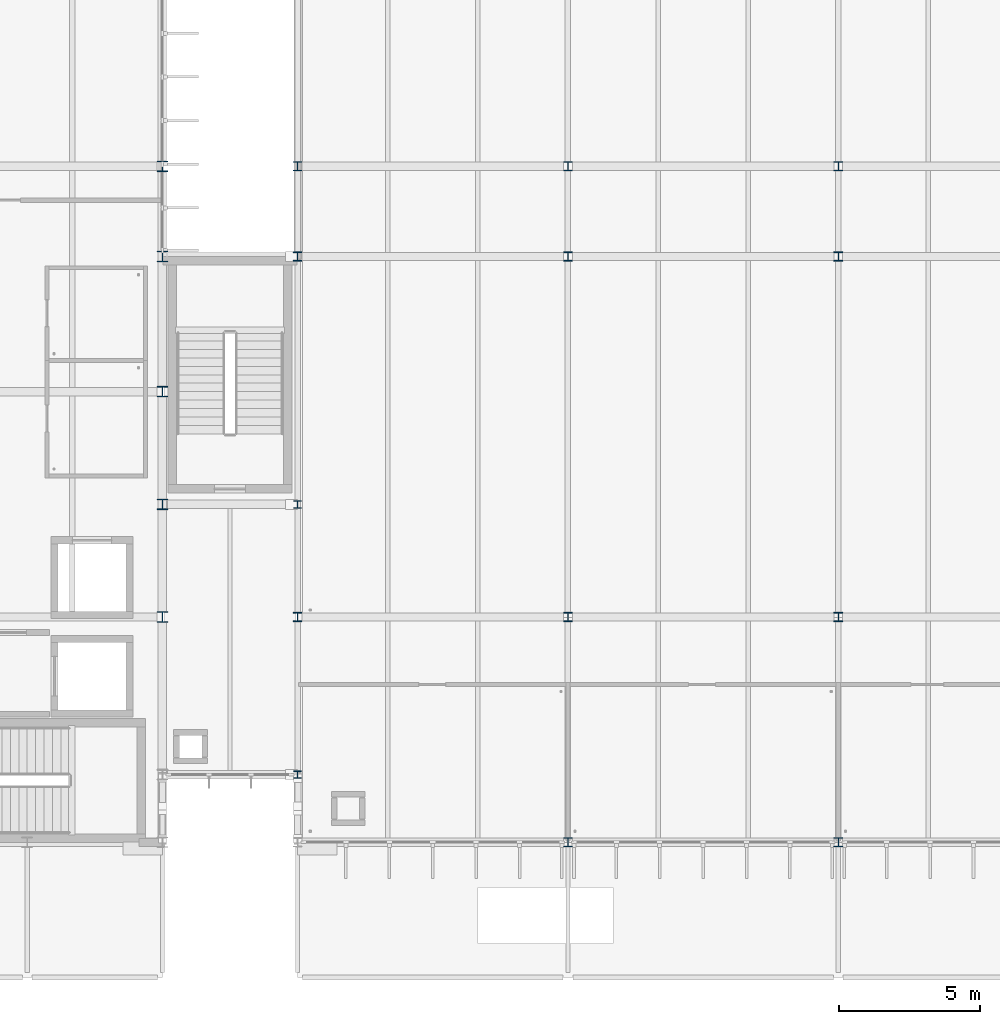
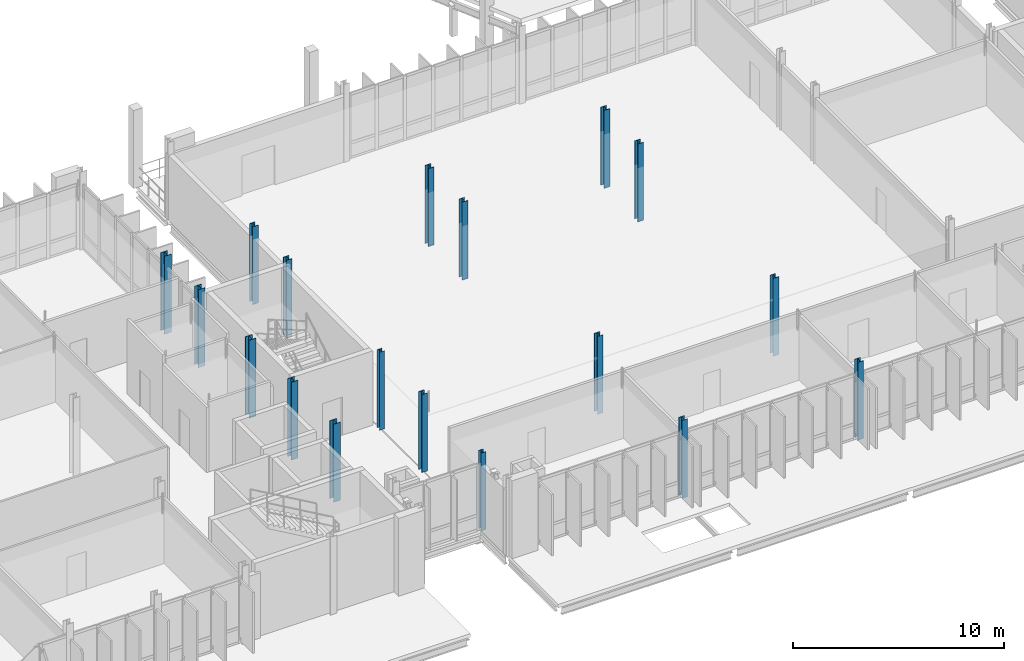
# One storey, part 2 of 107: 18 columns.
"""IFC4 building model written with IfcOpenShell, lengths in metres."""

from ifc_helpers import new_model, si_unit, direction, frame, origin, origin_2d, place, context, subcontext, project, spatial, i_section, extrude, material, material_profile, profile_set, type_object, element, save


model = new_model("IFC4")

# Units and contexts
model_context = context("Model", 3, precision=1e-05, world=origin(), true_north=direction((0.0, 1.0)))
body_context = subcontext(model_context, "Body", "Model", "MODEL_VIEW")
ifc_project = project(units=[si_unit("LENGTHUNIT", "METRE"), si_unit("AREAUNIT", "SQUARE_METRE"), si_unit("VOLUMEUNIT", "CUBIC_METRE"), si_unit("PLANEANGLEUNIT", "RADIAN"), si_unit("MASSUNIT", "GRAM", prefix="KILO")], contexts=[model_context])

# Site, building, storey
site_placement = place(None, origin())
site = spatial("IfcSite", under=ifc_project, at=site_placement, CompositionType="ELEMENT")
building_placement = place(site_placement, origin())
building = spatial("IfcBuilding", under=site, at=building_placement, Name="Dunescarp Central Library", CompositionType="ELEMENT")
storey_placement = place(building_placement, frame((0.0, 0.0, 5.10009765625)))
storey = spatial("IfcBuildingStorey", under=building, at=storey_placement, Name="L01", CompositionType="ELEMENT", Elevation=5.10009765625)

# Columns
ifc_material = material(Name="Steel S355JR", Category="steel")
ifc_material_profile_1 = material_profile(ifc_material, i_section(OverallWidth=0.2587890625, OverallDepth=0.2666015625, WebThickness=0.0126953125, FlangeThickness=0.0205078125, at=origin_2d()), Name="UC 254x254x107")
ifc_profile_set_1 = profile_set([ifc_material_profile_1], Name="Steel S355JR")
column_type_1 = type_object("IfcColumnType", Name="STR-COL-UC254X107", PredefinedType="COLUMN", material=ifc_profile_set_1)
for number, where, z_axis, x_axis, name in (
    (1, (38.39990234375, 7.199951171875, 0.0), (0.0, 0.0, 1.0), (1.0, 0.0, 0.0), "L01 column V2L-384-72"),
    (2, (38.39990234375, 16.800048828125, 0.0), (0.0, 0.0, 1.0), (1.0, 0.0, 0.0), "L01 column V2L-384-168"),
):
    element("IfcColumn", number, at=place(storey_placement, frame(where, z_axis=z_axis, x_axis=x_axis)), inside=storey, type_object=column_type_1, Name=name, PredefinedType="COLUMN", context=body_context, shape_type="SweptSolid", body=[
        extrude(i_section(OverallWidth=0.2587890625, OverallDepth=0.2666015625, WebThickness=0.0126953125, FlangeThickness=0.0205078125, at=origin_2d()), origin(), (0.0, 0.0, 1.0), 4.5),
    ])
ifc_material_profile_2 = material_profile(ifc_material, i_section(OverallWidth=0.30908203125, OverallDepth=0.320556640625, WebThickness=0.013916015625, FlangeThickness=0.021728515625, at=origin_2d()), Name="UC 305x305x137")
ifc_profile_set_2 = profile_set([ifc_material_profile_2], Name="Steel S355JR")
column_type_2 = type_object("IfcColumnType", Name="STR-COL-UC305X137", PredefinedType="COLUMN", material=ifc_profile_set_2)
for number, where, z_axis, x_axis, name in (
    (3, (38.39990234375, 12.800048828125, 0.0), (0.0, 0.0, 1.0), (1.0, 0.0, 0.0), "L01 column V2-384-128"),
    (4, (38.39990234375, 25.60009765625, 0.0), (0.0, 0.0, 1.0), (1.0, 0.0, 0.0), "L01 column V2-384-256"),
    (5, (48.0, 4.800048828125, 0.0), (0.0, 0.0, 1.0), (1.0, 0.0, 0.0), "L01 column V2-480-48"),
    (6, (48.0, 12.800048828125, 0.0), (0.0, 0.0, 1.0), (1.0, 0.0, 0.0), "L01 column V2-480-128"),
    (7, (48.0, 25.60009765625, 0.0), (0.0, 0.0, 1.0), (1.0, 0.0, 0.0), "L01 column V2-480-256"),
    (8, (57.60009765625, 4.800048828125, 0.0), (0.0, 0.0, 1.0), (1.0, 0.0, 0.0), "L01 column V2-576-48"),
    (9, (57.60009765625, 12.800048828125, 0.0), (0.0, 0.0, 1.0), (1.0, 0.0, 0.0), "L01 column V2-576-128"),
    (10, (57.60009765625, 25.60009765625, 0.0), (0.0, 0.0, 1.0), (1.0, 0.0, 0.0), "L01 column V2-576-256"),
):
    element("IfcColumn", number, at=place(storey_placement, frame(where, z_axis=z_axis, x_axis=x_axis)), inside=storey, type_object=column_type_2, Name=name, PredefinedType="COLUMN", context=body_context, shape_type="SweptSolid", body=[
        extrude(i_section(OverallWidth=0.30908203125, OverallDepth=0.320556640625, WebThickness=0.013916015625, FlangeThickness=0.021728515625, at=origin_2d()), origin(), (0.0, 0.0, 1.0), 4.5),
    ])
ifc_material_profile_3 = material_profile(ifc_material, i_section(OverallWidth=0.311279296875, OverallDepth=0.3271484375, WebThickness=0.015869140625, FlangeThickness=0.02490234375, at=origin_2d()), Name="UC 305x305x158")
ifc_profile_set_3 = profile_set([ifc_material_profile_3], Name="Steel S355JR")
column_type_3 = type_object("IfcColumnType", Name="STR-COL-UC305X158", PredefinedType="COLUMN", material=ifc_profile_set_3)
for number, where, z_axis, x_axis, name in (
    (11, (38.39990234375, 28.800048828125, 0.0), (0.0, 0.0, 1.0), (1.0, 0.0, 0.0), "L01 column V2N5-384"),
    (12, (48.0, 28.800048828125, 0.0), (0.0, 0.0, 1.0), (1.0, 0.0, 0.0), "L01 column V2N5-480"),
    (13, (57.60009765625, 28.800048828125, 0.0), (0.0, 0.0, 1.0), (1.0, 0.0, 0.0), "L01 column V2N5-576"),
):
    element("IfcColumn", number, at=place(storey_placement, frame(where, z_axis=z_axis, x_axis=x_axis)), inside=storey, type_object=column_type_3, Name=name, PredefinedType="COLUMN", context=body_context, shape_type="SweptSolid", body=[
        extrude(i_section(OverallWidth=0.311279296875, OverallDepth=0.3271484375, WebThickness=0.015869140625, FlangeThickness=0.02490234375, at=origin_2d()), origin(), (0.0, 0.0, 1.0), 4.5),
    ])
ifc_material_profile_4 = material_profile(ifc_material, i_section(OverallWidth=0.374755859375, OverallDepth=0.37451171875, WebThickness=0.0166015625, FlangeThickness=0.027099609375, at=origin_2d()), Name="UC 356x368x202")
ifc_profile_set_4 = profile_set([ifc_material_profile_4], Name="Steel S355JR")
column_type_4 = type_object("IfcColumnType", Name="STR-COL-UC356X202", PredefinedType="COLUMN", material=ifc_profile_set_4)
for number, where, z_axis, x_axis, name in (
    (14, (33.60009765625, 12.800048828125, 0.0), (0.0, 0.0, 1.0), (1.0, 0.0, 0.0), "L01 column V1P-336-128"),
    (15, (33.60009765625, 16.800048828125, 0.0), (0.0, 0.0, 1.0), (1.0, 0.0, 0.0), "L01 column V1P-336-168"),
    (16, (33.60009765625, 20.800048828125, 0.0), (0.0, 0.0, 1.0), (1.0, 0.0, 0.0), "L01 column V1P-336-208"),
    (17, (33.60009765625, 25.60009765625, 0.0), (0.0, 0.0, 1.0), (1.0, 0.0, 0.0), "L01 column V1P-336-256"),
    (18, (33.60009765625, 28.800048828125, 0.0), (0.0, 0.0, 1.0), (1.0, 0.0, 0.0), "L01 column V1P-336-288"),
):
    element("IfcColumn", number, at=place(storey_placement, frame(where, z_axis=z_axis, x_axis=x_axis)), inside=storey, type_object=column_type_4, Name=name, PredefinedType="COLUMN", context=body_context, shape_type="SweptSolid", body=[
        extrude(i_section(OverallWidth=0.374755859375, OverallDepth=0.37451171875, WebThickness=0.0166015625, FlangeThickness=0.027099609375, at=origin_2d()), origin(), (0.0, 0.0, 1.0), 4.5),
    ])

save(model, "model.ifc")
